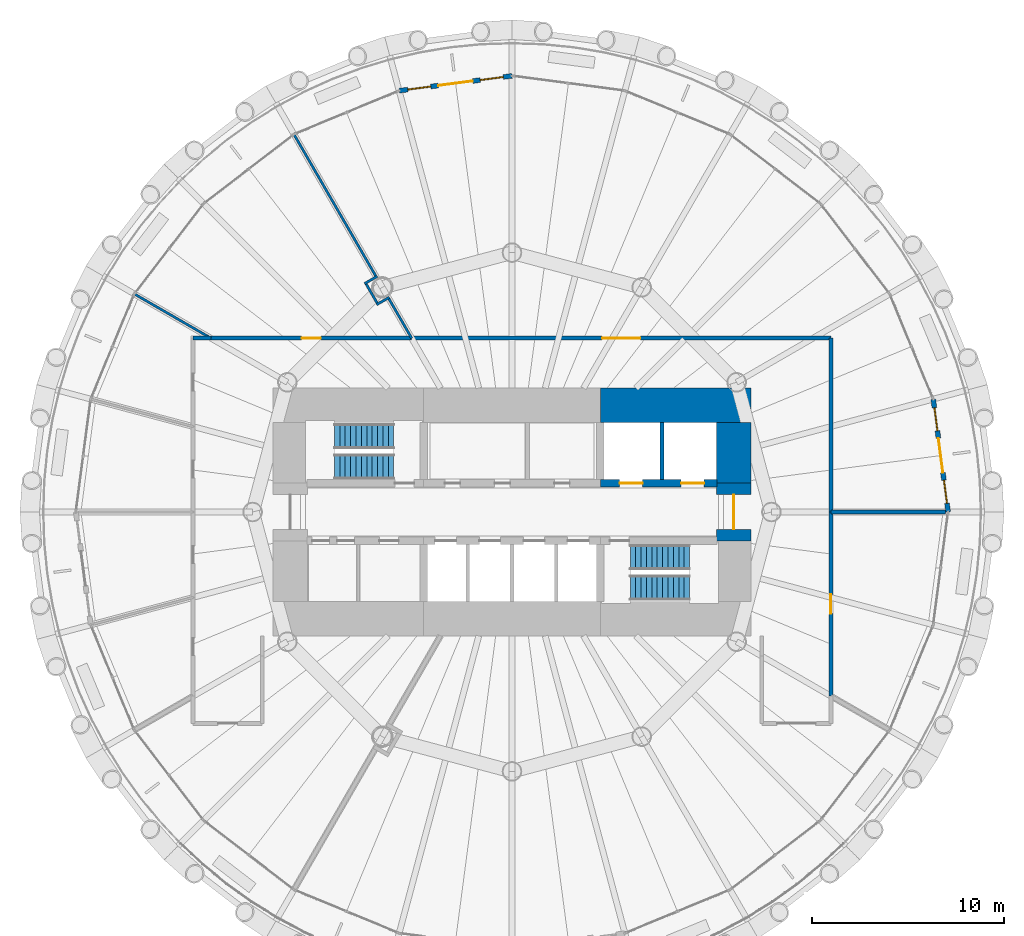
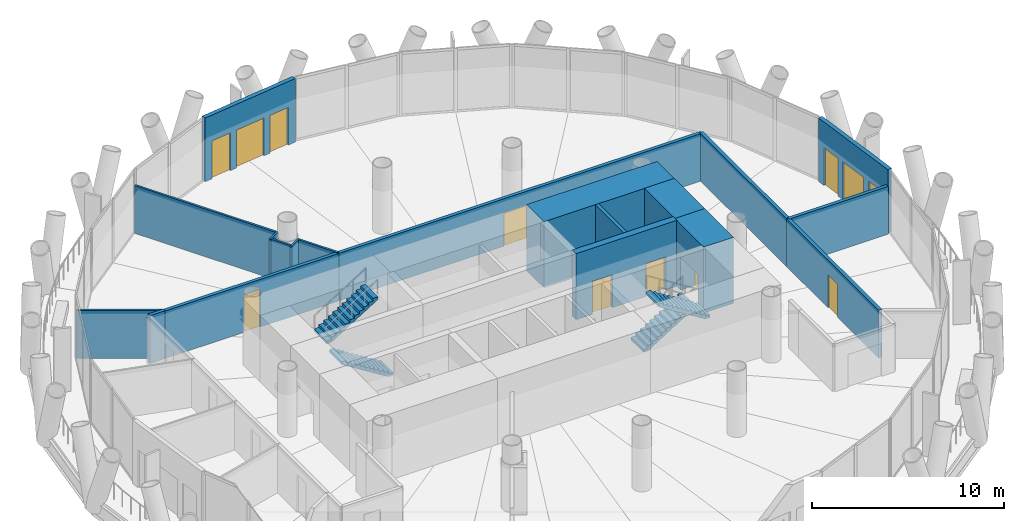
# One storey, part 10 of 14: 19 walls, 8 doors, 4 stair flights, 4 windows, 12 openings, 2 elements without a shape of their own.
"""IFC4 building model written with IfcOpenShell, lengths in metres."""

from ifc_helpers import new_model, si_unit, direction, frame, frame_2d, origin, place, context, subcontext, project, spatial, polyline, rectangle, outline, extrude, material, layer, layer_set, type_object, element, fill, aggregate, save


model = new_model("IFC4")

# Units and contexts
model_context = context("Model", 3, precision=1e-05, world=origin(), true_north=direction((0.0, 1.0)))
body_context = subcontext(model_context, "Body", "Model", "MODEL_VIEW")
ifc_project = project(units=[si_unit("LENGTHUNIT", "METRE"), si_unit("AREAUNIT", "SQUARE_METRE"), si_unit("VOLUMEUNIT", "CUBIC_METRE"), si_unit("PLANEANGLEUNIT", "RADIAN"), si_unit("MASSUNIT", "GRAM", prefix="KILO")], contexts=[model_context])

# Site, building, storey
site_placement = place(None, origin())
site = spatial("IfcSite", under=ifc_project, at=site_placement, CompositionType="ELEMENT")
building_placement = place(site_placement, origin())
building = spatial("IfcBuilding", under=site, at=building_placement, Name="Qaws Media Tower", CompositionType="ELEMENT")
storey_placement = place(building_placement, frame((0.0, 0.0, 126.800048828125)))
storey = spatial("IfcBuildingStorey", under=building, at=storey_placement, Name="L28", CompositionType="ELEMENT", Elevation=126.800048828125)

# Wall, openings, door, windows
ifc_material_1 = material(Name="Precast concrete, exposed finish", Category="concrete")
ifc_layer_1 = layer(ifc_material_1, 0.25)
ifc_layer_set_1 = layer_set([ifc_layer_1], Name="Balcony door wall 250")
wall_type_1 = type_object("IfcWallType", Name="Balcony door wall 250", PredefinedType="SOLIDWALL", material=ifc_layer_set_1)
wall_1_placement = place(storey_placement, frame((82.699951171875, 50.0, 0.0), z_axis=(0.0, 0.0, 1.0), x_axis=(-0.130517390063, 0.99144602016, 0.0)))
wall_1 = element("IfcWall", 1, at=wall_1_placement, inside=storey, type_object=wall_type_1, Name="W140 EW1 balcony door wall L28-01", PredefinedType="SOLIDWALL", context=body_context, shape_type="SweptSolid", body=[
    extrude(rectangle(XDim=5.926025390625, YDim=0.25, at=frame_2d((2.962890625, 0.0))), origin(), (0.0, 0.0, 1.0), 4.0400390625),
])
opening_1_placement = place(wall_1_placement, frame((2.06298828125, 0.0, 0.0)))
opening_1 = element("IfcOpeningElement", 2, at=opening_1_placement, cuts=wall_1, Name="Opening D7", PredefinedType="OPENING", context=body_context, shape_type="SweptSolid", body=[
    extrude(rectangle(XDim=1.800048828125, YDim=2.39990234375, at=frame_2d((0.89990234375, 1.199951171875))), frame((0.0, 0.135009765625, 0.0), z_axis=(0.0, -1.0, 0.0), x_axis=(1.0, 0.0, 0.0)), (0.0, 0.0, 1.0), 0.27001953125),
])
opening_2_placement = place(wall_1_placement, frame((0.462890625, 0.0, 0.0)))
opening_2 = element("IfcOpeningElement", 3, at=opening_2_placement, cuts=wall_1, Name="Opening W1", PredefinedType="OPENING", context=body_context, shape_type="SweptSolid", body=[
    extrude(rectangle(XDim=1.199951171875, YDim=2.39990234375, at=frame_2d((0.60009765625, 1.199951171875))), frame((0.0, 0.135009765625, 0.0), z_axis=(0.0, -1.0, 0.0), x_axis=(1.0, 0.0, 0.0)), (0.0, 0.0, 1.0), 0.27001953125),
])
opening_3_placement = place(wall_1_placement, frame((4.262939453125, 0.0, 0.0)))
opening_3 = element("IfcOpeningElement", 4, at=opening_3_placement, cuts=wall_1, Name="Opening W1", PredefinedType="OPENING", context=body_context, shape_type="SweptSolid", body=[
    extrude(rectangle(XDim=1.199951171875, YDim=2.39990234375, at=frame_2d((0.60009765625, 1.199951171875))), frame((0.0, 0.135009765625, 0.0), z_axis=(0.0, -1.0, 0.0), x_axis=(1.0, 0.0, 0.0)), (0.0, 0.0, 1.0), 0.27001953125),
])
ifc_material_2 = material(Name="Aluminium and clear glass", Category="aluminium")
door_type_1 = type_object("IfcDoorType", Name="Balcony door pair 1800", OperationType="DOUBLE_DOOR_SLIDING", PredefinedType="DOOR", material=ifc_material_2)
door_1_placement = place(opening_1_placement, origin())
door_1 = element("IfcDoor", 5, at=door_1_placement, inside=storey, type_object=door_type_1, Name="D7 balcony door L28-01 in wall W140", OperationType="DOUBLE_DOOR_SLIDING", OverallHeight=2.39990234375, OverallWidth=1.800048828125, PredefinedType="DOOR", context=body_context, shape_type="SweptSolid", body=[
    extrude(rectangle(XDim=1.800048828125, YDim=2.39990234375, at=frame_2d((0.89990234375, 1.199951171875))), frame((0.0, 0.02490234375, 0.0), z_axis=(0.0, -1.0, 0.0), x_axis=(1.0, 0.0, 0.0)), (0.0, 0.0, 1.0), 0.050048828125),
])
fill(opening_1, door_1)
ifc_material_3 = material(Name="Aluminium and clear glass", Category="aluminium")
window_type = type_object("IfcWindowType", Name="Balcony side window 1200", PartitioningType="SINGLE_PANEL", PredefinedType="WINDOW", material=ifc_material_3)
window_1_placement = place(opening_2_placement, origin())
window_1 = element("IfcWindow", 6, at=window_1_placement, inside=storey, type_object=window_type, Name="W1 balcony side light L28-01L", OverallHeight=2.39990234375, OverallWidth=1.199951171875, PartitioningType="SINGLE_PANEL", PredefinedType="WINDOW", context=body_context, shape_type="SweptSolid", body=[
    extrude(rectangle(XDim=1.199951171875, YDim=2.39990234375, at=frame_2d((0.60009765625, 1.199951171875))), frame((0.0, 0.030029296875, 0.0), z_axis=(0.0, -1.0, 0.0), x_axis=(1.0, 0.0, 0.0)), (0.0, 0.0, 1.0), 0.06005859375),
])
fill(opening_2, window_1)
window_2_placement = place(opening_3_placement, origin())
window_2 = element("IfcWindow", 7, at=window_2_placement, inside=storey, type_object=window_type, Name="W1 balcony side light L28-01R", OverallHeight=2.39990234375, OverallWidth=1.199951171875, PartitioningType="SINGLE_PANEL", PredefinedType="WINDOW", context=body_context, shape_type="SweptSolid", body=[
    extrude(rectangle(XDim=1.199951171875, YDim=2.39990234375, at=frame_2d((0.60009765625, 1.199951171875))), frame((0.0, 0.030029296875, 0.0), z_axis=(0.0, -1.0, 0.0), x_axis=(1.0, 0.0, 0.0)), (0.0, 0.0, 1.0), 0.06005859375),
])
fill(opening_3, window_2)

wall_2_placement = place(storey_placement, frame((60.0, 72.699951171875, 0.0), z_axis=(0.0, 0.0, 1.0), x_axis=(-0.99144602016, -0.130517390063, 0.0)))
wall_2 = element("IfcWall", 8, at=wall_2_placement, inside=storey, type_object=wall_type_1, Name="W139 EW1 balcony door wall L28-07", PredefinedType="SOLIDWALL", context=body_context, shape_type="SweptSolid", body=[
    extrude(rectangle(XDim=5.926025390625, YDim=0.25, at=frame_2d((2.962890625, 0.0))), origin(), (0.0, 0.0, 1.0), 4.0400390625),
])
opening_4_placement = place(wall_2_placement, frame((2.06298828125, 0.0, 0.0)))
opening_4 = element("IfcOpeningElement", 9, at=opening_4_placement, cuts=wall_2, Name="Opening D7", PredefinedType="OPENING", context=body_context, shape_type="SweptSolid", body=[
    extrude(rectangle(XDim=1.800048828125, YDim=2.39990234375, at=frame_2d((0.89990234375, 1.199951171875))), frame((0.0, 0.135009765625, 0.0), z_axis=(0.0, -1.0, 0.0), x_axis=(1.0, 0.0, 0.0)), (0.0, 0.0, 1.0), 0.27001953125),
])
opening_5_placement = place(wall_2_placement, frame((0.462890625, 0.0, 0.0)))
opening_5 = element("IfcOpeningElement", 10, at=opening_5_placement, cuts=wall_2, Name="Opening W1", PredefinedType="OPENING", context=body_context, shape_type="SweptSolid", body=[
    extrude(rectangle(XDim=1.199951171875, YDim=2.39990234375, at=frame_2d((0.60009765625, 1.199951171875))), frame((0.0, 0.135009765625, 0.0), z_axis=(0.0, -1.0, 0.0), x_axis=(1.0, 0.0, 0.0)), (0.0, 0.0, 1.0), 0.27001953125),
])
opening_6_placement = place(wall_2_placement, frame((4.262939453125, 0.0, 0.0)))
opening_6 = element("IfcOpeningElement", 11, at=opening_6_placement, cuts=wall_2, Name="Opening W1", PredefinedType="OPENING", context=body_context, shape_type="SweptSolid", body=[
    extrude(rectangle(XDim=1.199951171875, YDim=2.39990234375, at=frame_2d((0.60009765625, 1.199951171875))), frame((0.0, 0.135009765625, 0.0), z_axis=(0.0, -1.0, 0.0), x_axis=(1.0, 0.0, 0.0)), (0.0, 0.0, 1.0), 0.27001953125),
])
door_2_placement = place(opening_4_placement, origin())
door_2 = element("IfcDoor", 12, at=door_2_placement, inside=storey, type_object=door_type_1, Name="D7 balcony door L28-07 in wall W139", OperationType="DOUBLE_DOOR_SLIDING", OverallHeight=2.39990234375, OverallWidth=1.800048828125, PredefinedType="DOOR", context=body_context, shape_type="SweptSolid", body=[
    extrude(rectangle(XDim=1.800048828125, YDim=2.39990234375, at=frame_2d((0.89990234375, 1.199951171875))), frame((0.0, 0.02490234375, 0.0), z_axis=(0.0, -1.0, 0.0), x_axis=(1.0, 0.0, 0.0)), (0.0, 0.0, 1.0), 0.050048828125),
])
fill(opening_4, door_2)
window_3_placement = place(opening_5_placement, origin())
window_3 = element("IfcWindow", 13, at=window_3_placement, inside=storey, type_object=window_type, Name="W1 balcony side light L28-07L", OverallHeight=2.39990234375, OverallWidth=1.199951171875, PartitioningType="SINGLE_PANEL", PredefinedType="WINDOW", context=body_context, shape_type="SweptSolid", body=[
    extrude(rectangle(XDim=1.199951171875, YDim=2.39990234375, at=frame_2d((0.60009765625, 1.199951171875))), frame((0.0, 0.030029296875, 0.0), z_axis=(0.0, -1.0, 0.0), x_axis=(1.0, 0.0, 0.0)), (0.0, 0.0, 1.0), 0.06005859375),
])
fill(opening_5, window_3)
window_4_placement = place(opening_6_placement, origin())
window_4 = element("IfcWindow", 14, at=window_4_placement, inside=storey, type_object=window_type, Name="W1 balcony side light L28-07R", OverallHeight=2.39990234375, OverallWidth=1.199951171875, PartitioningType="SINGLE_PANEL", PredefinedType="WINDOW", context=body_context, shape_type="SweptSolid", body=[
    extrude(rectangle(XDim=1.199951171875, YDim=2.39990234375, at=frame_2d((0.60009765625, 1.199951171875))), frame((0.0, 0.030029296875, 0.0), z_axis=(0.0, -1.0, 0.0), x_axis=(1.0, 0.0, 0.0)), (0.0, 0.0, 1.0), 0.06005859375),
])
fill(opening_6, window_4)

# Wall, openings, doors
ifc_material_4 = material(Name="Concrete C60/75", Category="concrete")
ifc_layer_2 = layer(ifc_material_4, 0.39990234375)
ifc_layer_set_2 = layer_set([ifc_layer_2], Name="Core inner wall 400")
wall_type_2 = type_object("IfcWallType", Name="Core inner wall 400", PredefinedType="SHEAR", material=ifc_layer_set_2)
wall_3_placement = place(storey_placement, frame((64.60009765625, 51.5, 0.0), z_axis=(0.0, 0.0, 1.0), x_axis=(1.0, 0.0, 0.0)))
wall_3 = element("IfcWall", 15, at=wall_3_placement, inside=storey, type_object=wall_type_2, Name="W326 SW4 core wall SPNE L28", PredefinedType="SHEAR", context=body_context, shape_type="SweptSolid", body=[
    extrude(rectangle(XDim=6.06982421875, YDim=0.39990234375, at=frame_2d((3.034912109375, 0.0))), origin(), (0.0, 0.0, 1.0), 4.199951171875),
])
opening_7_placement = place(wall_3_placement, frame((1.0, 0.0, 0.0)))
opening_7 = element("IfcOpeningElement", 16, at=opening_7_placement, cuts=wall_3, Name="Opening LD2", PredefinedType="OPENING", context=body_context, shape_type="SweptSolid", body=[
    extrude(rectangle(XDim=1.199951171875, YDim=2.10009765625, at=frame_2d((0.60009765625, 1.050048828125))), frame((0.0, 0.2099609375, 0.0), z_axis=(0.0, -1.0, 0.0), x_axis=(1.0, 0.0, 0.0)), (0.0, 0.0, 1.0), 0.419921875),
])
opening_8_placement = place(wall_3_placement, frame((4.199951171875, 0.0, 0.0)))
opening_8 = element("IfcOpeningElement", 17, at=opening_8_placement, cuts=wall_3, Name="Opening LD2", PredefinedType="OPENING", context=body_context, shape_type="SweptSolid", body=[
    extrude(rectangle(XDim=1.199951171875, YDim=2.10009765625, at=frame_2d((0.60009765625, 1.050048828125))), frame((0.0, 0.2099609375, 0.0), z_axis=(0.0, -1.0, 0.0), x_axis=(1.0, 0.0, 0.0)), (0.0, 0.0, 1.0), 0.419921875),
])
ifc_material_5 = material(Name="Steel, fire rated", Category="steel")
door_type_2 = type_object("IfcDoorType", Name="Lift landing door 1200", OperationType="SLIDING_TO_LEFT", PredefinedType="DOOR", material=ifc_material_5)
door_3_placement = place(opening_7_placement, origin())
door_3 = element("IfcDoor", 18, at=door_3_placement, inside=storey, type_object=door_type_2, Name="FL1 landing door L28 in wall W326", OperationType="SLIDING_TO_LEFT", OverallHeight=2.10009765625, OverallWidth=1.199951171875, PredefinedType="DOOR", context=body_context, shape_type="SweptSolid", body=[
    extrude(rectangle(XDim=1.199951171875, YDim=2.10009765625, at=frame_2d((0.60009765625, 1.050048828125))), frame((0.0, 0.02490234375, 0.0), z_axis=(0.0, -1.0, 0.0), x_axis=(1.0, 0.0, 0.0)), (0.0, 0.0, 1.0), 0.050048828125),
])
fill(opening_7, door_3)
door_4_placement = place(opening_8_placement, origin())
door_4 = element("IfcDoor", 19, at=door_4_placement, inside=storey, type_object=door_type_2, Name="FL2 landing door L28 in wall W326", OperationType="SLIDING_TO_LEFT", OverallHeight=2.10009765625, OverallWidth=1.199951171875, PredefinedType="DOOR", context=body_context, shape_type="SweptSolid", body=[
    extrude(rectangle(XDim=1.199951171875, YDim=2.10009765625, at=frame_2d((0.60009765625, 1.050048828125))), frame((0.0, 0.02490234375, 0.0), z_axis=(0.0, -1.0, 0.0), x_axis=(1.0, 0.0, 0.0)), (0.0, 0.0, 1.0), 0.050048828125),
])
fill(opening_8, door_4)

# Wall
ifc_material_6 = material(Name="Concrete C60/75", Category="concrete")
ifc_layer_3 = layer(ifc_material_6, 1.800048828125)
ifc_layer_set_3 = layer_set([ifc_layer_3], Name="Core wall 1800")
wall_type_3 = type_object("IfcWallType", Name="Core wall 1800", PredefinedType="SHEAR", material=ifc_layer_set_3)
wall_4_placement = place(storey_placement, frame((64.60009765625, 55.550048828125, 0.0), z_axis=(0.0, 0.0, 1.0), x_axis=(1.0, 0.0, 0.0)))
element("IfcWall", 20, at=wall_4_placement, inside=storey, type_object=wall_type_3, Name="W423 SW11 core wall NE L28", PredefinedType="SHEAR", context=body_context, shape_type="SweptSolid", body=[
    extrude(rectangle(XDim=7.849853515625, YDim=1.800048828125, at=frame_2d((3.9248046875, 0.0))), origin(), (0.0, 0.0, 1.0), 4.199951171875),
])

# Wall, opening, door
wall_5_placement = place(storey_placement, frame((71.550048828125, 48.5, 0.0), z_axis=(0.0, 0.0, 1.0), x_axis=(0.0, 1.0, 0.0)))
wall_5 = element("IfcWall", 21, at=wall_5_placement, inside=storey, type_object=wall_type_3, Name="W427 SW11 core wall E L28", PredefinedType="SHEAR", context=body_context, shape_type="SweptSolid", body=[
    extrude(rectangle(XDim=3.0, YDim=1.800048828125, at=frame_2d((1.5, 0.0))), origin(), (0.0, 0.0, 1.0), 4.199951171875),
])
opening_9_placement = place(wall_5_placement, frame((0.60009765625, 0.0, 0.0)))
opening_9 = element("IfcOpeningElement", 22, at=opening_9_placement, cuts=wall_5, Name="Opening D2", PredefinedType="OPENING", context=body_context, shape_type="SweptSolid", body=[
    extrude(rectangle(XDim=1.800048828125, YDim=2.10009765625, at=frame_2d((0.89990234375, 1.050048828125))), frame((0.0, 0.909912109375, 0.0), z_axis=(0.0, -1.0, 0.0), x_axis=(1.0, 0.0, 0.0)), (0.0, 0.0, 1.0), 1.820068359375),
])
ifc_material_7 = material(Name="Steel and glass, fire rated", Category="steel")
door_type_3 = type_object("IfcDoorType", Name="Lobby door pair 1800 FD60", OperationType="DOUBLE_DOOR_DOUBLE_SWING", PredefinedType="DOOR", material=ifc_material_7)
door_5_placement = place(opening_9_placement, origin())
door_5 = element("IfcDoor", 23, at=door_5_placement, inside=storey, type_object=door_type_3, Name="D2 core lobby door E L28 in wall W427", OperationType="DOUBLE_DOOR_DOUBLE_SWING", OverallHeight=2.10009765625, OverallWidth=1.800048828125, PredefinedType="DOOR", context=body_context, shape_type="SweptSolid", body=[
    extrude(rectangle(XDim=1.800048828125, YDim=2.10009765625, at=frame_2d((0.89990234375, 1.050048828125))), frame((0.0, 0.02490234375, 0.0), z_axis=(0.0, -1.0, 0.0), x_axis=(1.0, 0.0, 0.0)), (0.0, 0.0, 1.0), 0.050048828125),
])
fill(opening_9, door_5)

# Walls
wall_6_placement = place(storey_placement, frame((71.550048828125, 51.5, 0.0), z_axis=(0.0, 0.0, 1.0), x_axis=(0.0, 1.0, 0.0)))
element("IfcWall", 24, at=wall_6_placement, inside=storey, type_object=wall_type_3, Name="W425 SW11 core wall EN L28", PredefinedType="SHEAR", context=body_context, shape_type="SweptSolid", body=[
    extrude(rectangle(XDim=3.169921875, YDim=1.800048828125, at=frame_2d((1.5849609375, 0.0))), origin(), (0.0, 0.0, 1.0), 4.199951171875),
])
ifc_material_8 = material(Name="Two layers gypsum board each side on 75 studs, insulated", Category="gypsum")
ifc_layer_4 = layer(ifc_material_8, 0.125)
ifc_layer_set_4 = layer_set([ifc_layer_4], Name="Meeting room partition 125 Rw 48")
wall_type_4 = type_object("IfcWallType", Name="Meeting room partition 125 Rw 48", PredefinedType="PARTITIONING", material=ifc_layer_set_4)
for number, where, z_axis, x_axis, name in (
    (25, (53.619384765625, 61.176513671875, 0.0), (0.0, 0.0, 1.0), (-0.866036909293, -0.499980071345, 0.0), "W544 IW5 partition return L28"),
    (26, (52.989013671875, 62.2685546875, 0.0), (0.0, 0.0, 1.0), (-0.866174967129, -0.499740859165, 0.0), "W543 IW5 partition return L28"),
):
    element("IfcWall", number, at=place(storey_placement, frame(where, z_axis=z_axis, x_axis=x_axis)), inside=storey, type_object=wall_type_4, Name=name, PredefinedType="PARTITIONING", context=body_context, shape_type="SweptSolid", body=[
        extrude(rectangle(XDim=0.765625, YDim=0.125, at=frame_2d((0.3828125, 0.0))), origin(), (0.0, 0.0, 1.0), 3.02001953125),
    ])
wall_7_placement = place(storey_placement, frame((52.979248046875, 60.879150390625, 0.0), z_axis=(0.0, 0.0, 1.0), x_axis=(-0.499883687939, 0.866092546171, 0.0)))
element("IfcWall", 27, at=wall_7_placement, inside=storey, type_object=wall_type_4, Name="W542 IW5 partition return L28", PredefinedType="PARTITIONING", context=body_context, shape_type="SweptSolid", body=[
    extrude(rectangle(XDim=1.135986328125, YDim=0.125, at=frame_2d((0.56787109375, 0.0))), origin(), (0.0, 0.0, 1.0), 3.02001953125),
])
wall_8_placement = place(storey_placement, frame((54.780029296875, 59.041259765625, 0.0), z_axis=(0.0, 0.0, 1.0), x_axis=(-0.499999210213, 0.866025859768, 0.0)))
element("IfcWall", 28, at=wall_8_placement, inside=storey, type_object=wall_type_4, Name="W545 IW5 partition L28", PredefinedType="PARTITIONING", context=body_context, shape_type="SweptSolid", body=[
    extrude(rectangle(XDim=2.3671875, YDim=0.125, at=frame_2d((1.18359375, 0.0))), origin(), (0.0, 0.0, 1.0), 3.0400390625),
])
wall_9_placement = place(storey_placement, frame((52.903564453125, 62.29150390625, 0.0), z_axis=(0.0, 0.0, 1.0), x_axis=(-0.5000186417, 0.866014640726, 0.0)))
element("IfcWall", 29, at=wall_9_placement, inside=storey, type_object=wall_type_4, Name="W547 IW5 partition L28", PredefinedType="PARTITIONING", context=body_context, shape_type="SweptSolid", body=[
    extrude(rectangle(XDim=8.467041015625, YDim=0.125, at=frame_2d((4.2333984375, 0.0))), origin(), (0.0, 0.0, 1.0), 3.0400390625),
])
wall_10_placement = place(storey_placement, frame((44.324951171875, 59.050048828125, 0.0), z_axis=(0.0, 0.0, 1.0), x_axis=(-0.866017071537, 0.500014431597, 0.0)))
element("IfcWall", 30, at=wall_10_placement, inside=storey, type_object=wall_type_4, Name="W546 IW5 partition L28", PredefinedType="PARTITIONING", context=body_context, shape_type="SweptSolid", body=[
    extrude(rectangle(XDim=4.559814453125, YDim=0.125, at=frame_2d((2.27978515625, 0.0))), origin(), (0.0, 0.0, 1.0), 3.0400390625),
])
ifc_material_9 = material(Name="Gypsum board on galvanised metal studs, acoustic double stud, deflection head", Category="gypsum")
ifc_layer_5 = layer(ifc_material_9, 0.199951171875)
ifc_layer_set_5 = layer_set([ifc_layer_5], Name="Room partition 200")
wall_type_5 = type_object("IfcWallType", Name="Room partition 200", PredefinedType="PARTITIONING", material=ifc_layer_set_5)
wall_11_placement = place(storey_placement, frame((43.39990234375, 59.050048828125, 0.0), z_axis=(0.0, 0.0, 1.0), x_axis=(1.0, 0.0, 0.0)))
element("IfcWall", 31, at=wall_11_placement, inside=storey, type_object=wall_type_5, Name="W1250 IW3 partition L28", PredefinedType="PARTITIONING", context=body_context, shape_type="SweptSolid", body=[
    extrude(rectangle(XDim=0.925048828125, YDim=0.199951171875, at=frame_2d((0.46240234375, 0.0))), origin(), (0.0, 0.0, 1.0), 3.0400390625),
])

# Wall, opening, door
wall_12_placement = place(storey_placement, frame((44.324951171875, 59.050048828125, 0.0), z_axis=(0.0, 0.0, 1.0), x_axis=(1.0, 0.0, 0.0)))
wall_12 = element("IfcWall", 32, at=wall_12_placement, inside=storey, type_object=wall_type_5, Name="W1252 IW3 partition L28", PredefinedType="PARTITIONING", context=body_context, shape_type="SweptSolid", body=[
    extrude(rectangle(XDim=10.449951171875, YDim=0.199951171875, at=frame_2d((5.22509765625, 0.0))), origin(), (0.0, 0.0, 1.0), 3.02001953125),
])
opening_10_placement = place(wall_12_placement, frame((4.72509765625, 0.0, 0.0)))
opening_10 = element("IfcOpeningElement", 33, at=opening_10_placement, cuts=wall_12, Name="Opening D13", PredefinedType="OPENING", context=body_context, shape_type="SweptSolid", body=[
    extrude(rectangle(XDim=1.0, YDim=2.39990234375, at=frame_2d((0.5, 1.199951171875))), frame((0.0, 0.10986328125, 0.0), z_axis=(0.0, -1.0, 0.0), x_axis=(1.0, 0.0, 0.0)), (0.0, 0.0, 1.0), 0.219970703125),
])
ifc_material_10 = material(Name="Frameless toughened glass, acoustic seals", Category="glass")
door_type_4 = type_object("IfcDoorType", Name="Glazed meeting room door 1000x2400", OperationType="SINGLE_SWING_LEFT", PredefinedType="DOOR", material=ifc_material_10)
door_6_placement = place(opening_10_placement, origin())
door_6 = element("IfcDoor", 34, at=door_6_placement, inside=storey, type_object=door_type_4, Name="D13 Meeting room door L28 in wall W1252", OperationType="SINGLE_SWING_LEFT", OverallHeight=2.39990234375, OverallWidth=1.0, PredefinedType="DOOR", context=body_context, shape_type="SweptSolid", body=[
    extrude(rectangle(XDim=1.0, YDim=2.39990234375, at=frame_2d((0.5, 1.199951171875))), frame((0.0, 0.02490234375, 0.0), z_axis=(0.0, -1.0, 0.0), x_axis=(1.0, 0.0, 0.0)), (0.0, 0.0, 1.0), 0.050048828125),
])
fill(opening_10, door_6)

wall_13_placement = place(storey_placement, frame((54.77490234375, 59.050048828125, 0.0), z_axis=(0.0, 0.0, 1.0), x_axis=(1.0, 0.0, 0.0)))
wall_13 = element("IfcWall", 35, at=wall_13_placement, inside=storey, type_object=wall_type_5, Name="W1258 IW3 partition L28", PredefinedType="PARTITIONING", context=body_context, shape_type="SweptSolid", body=[
    extrude(rectangle(XDim=21.8251953125, YDim=0.199951171875, at=frame_2d((10.91259765625, 0.0))), origin(), (0.0, 0.0, 1.0), 3.02001953125),
])
opening_11_placement = place(wall_13_placement, frame((9.91259765625, 0.0, 0.0)))
opening_11 = element("IfcOpeningElement", 36, at=opening_11_placement, cuts=wall_13, Name="Opening D6", PredefinedType="OPENING", context=body_context, shape_type="SweptSolid", body=[
    extrude(rectangle(XDim=2.0, YDim=2.10009765625, at=frame_2d((1.0, 1.050048828125))), frame((0.0, 0.10986328125, 0.0), z_axis=(0.0, -1.0, 0.0), x_axis=(1.0, 0.0, 0.0)), (0.0, 0.0, 1.0), 0.219970703125),
])
ifc_material_11 = material(Name="Steel, acoustic, fire rated", Category="steel")
door_type_5 = type_object("IfcDoorType", Name="Room door pair 2000", OperationType="DOUBLE_DOOR_DOUBLE_SWING", PredefinedType="DOOR", material=ifc_material_11)
door_7_placement = place(opening_11_placement, origin())
door_7 = element("IfcDoor", 37, at=door_7_placement, inside=storey, type_object=door_type_5, Name="D6 Finance office door L28 in wall W1258", OperationType="DOUBLE_DOOR_DOUBLE_SWING", OverallHeight=2.10009765625, OverallWidth=2.0, PredefinedType="DOOR", context=body_context, shape_type="SweptSolid", body=[
    extrude(rectangle(XDim=2.0, YDim=2.10009765625, at=frame_2d((1.0, 1.050048828125))), frame((0.0, 0.02490234375, 0.0), z_axis=(0.0, -1.0, 0.0), x_axis=(1.0, 0.0, 0.0)), (0.0, 0.0, 1.0), 0.050048828125),
])
fill(opening_11, door_7)

# Wall
wall_14_placement = place(storey_placement, frame((76.60009765625, 59.050048828125, 0.0), z_axis=(0.0, 0.0, 1.0), x_axis=(0.0, -1.0, 0.0)))
element("IfcWall", 38, at=wall_14_placement, inside=storey, type_object=wall_type_5, Name="W1266 IW3 partition L28", PredefinedType="PARTITIONING", context=body_context, shape_type="SweptSolid", body=[
    extrude(rectangle(XDim=9.050048828125, YDim=0.199951171875, at=frame_2d((4.52490234375, 0.0))), origin(), (0.0, 0.0, 1.0), 3.0400390625),
])

# Wall, opening, door
wall_15_placement = place(storey_placement, frame((76.60009765625, 50.0, 0.0), z_axis=(0.0, 0.0, 1.0), x_axis=(0.0, -1.0, 0.0)))
wall_15 = element("IfcWall", 39, at=wall_15_placement, inside=storey, type_object=wall_type_5, Name="W1264 IW3 partition L28", PredefinedType="PARTITIONING", context=body_context, shape_type="SweptSolid", body=[
    extrude(rectangle(XDim=9.583984375, YDim=0.199951171875, at=frame_2d((4.7919921875, 0.0))), origin(), (0.0, 0.0, 1.0), 3.0400390625),
])
opening_12_placement = place(wall_15_placement, frame((4.2919921875, 0.0, 0.0)))
opening_12 = element("IfcOpeningElement", 40, at=opening_12_placement, cuts=wall_15, Name="Opening D5", PredefinedType="OPENING", context=body_context, shape_type="SweptSolid", body=[
    extrude(rectangle(XDim=1.0, YDim=2.10009765625, at=frame_2d((0.5, 1.050048828125))), frame((0.0, 0.10986328125, 0.0), z_axis=(0.0, -1.0, 0.0), x_axis=(1.0, 0.0, 0.0)), (0.0, 0.0, 1.0), 0.219970703125),
])
ifc_material_12 = material(Name="Timber veneered, acoustic seal", Category="wood")
door_type_6 = type_object("IfcDoorType", Name="Room door 1000", OperationType="SINGLE_SWING_LEFT", PredefinedType="DOOR", material=ifc_material_12)
door_8_placement = place(opening_12_placement, origin())
door_8 = element("IfcDoor", 41, at=door_8_placement, inside=storey, type_object=door_type_6, Name="D5 Finance office door L28 in wall W1264", OperationType="SINGLE_SWING_LEFT", OverallHeight=2.10009765625, OverallWidth=1.0, PredefinedType="DOOR", context=body_context, shape_type="SweptSolid", body=[
    extrude(rectangle(XDim=1.0, YDim=2.10009765625, at=frame_2d((0.5, 1.050048828125))), frame((0.0, 0.02490234375, 0.0), z_axis=(0.0, -1.0, 0.0), x_axis=(1.0, 0.0, 0.0)), (0.0, 0.0, 1.0), 0.050048828125),
])
fill(opening_12, door_8)

# Walls
wall_16_placement = place(storey_placement, frame((76.60009765625, 50.0, 0.0), z_axis=(0.0, 0.0, 1.0), x_axis=(1.0, 0.0, 0.0)))
element("IfcWall", 42, at=wall_16_placement, inside=storey, type_object=wall_type_5, Name="W1273 IW3 partition L28", PredefinedType="PARTITIONING", context=body_context, shape_type="SweptSolid", body=[
    extrude(rectangle(XDim=5.9599609375, YDim=0.199951171875, at=frame_2d((2.97998046875, 0.0))), origin(), (0.0, 0.0, 1.0), 3.0400390625),
])
ifc_material_13 = material(Name="Fire-rated gypsum board shaft wall on galvanised metal studs, deflection head", Category="gypsum")
ifc_layer_6 = layer(ifc_material_13, 0.199951171875)
ifc_layer_set_6 = layer_set([ifc_layer_6], Name="Shaft wall 200")
wall_type_6 = type_object("IfcWallType", Name="Shaft wall 200", PredefinedType="PARTITIONING", material=ifc_layer_set_6)
wall_17_placement = place(storey_placement, frame((67.800048828125, 51.699951171875, 0.0), z_axis=(0.0, 0.0, 1.0), x_axis=(0.0, 1.0, 0.0)))
element("IfcWall", 43, at=wall_17_placement, inside=storey, type_object=wall_type_6, Name="W1863 IW1 shaft wall FL L28", PredefinedType="PARTITIONING", context=body_context, shape_type="SweptSolid", body=[
    extrude(rectangle(XDim=2.949951171875, YDim=0.199951171875, at=frame_2d((1.47509765625, 0.0))), origin(), (0.0, 0.0, 1.0), 4.199951171875),
])

# Stair, stair flights
ifc_material_14 = material(Name="Concrete C40/50", Category="concrete")
stair_type = type_object("IfcStairType", Name="Exit stair", PredefinedType="HALF_TURN_STAIR", material=ifc_material_14)
stair_1_placement = place(storey_placement, origin())
stair_1 = element("IfcStair", 44, at=stair_1_placement, inside=storey, type_object=stair_type, Name="S1 exit stair L28", PredefinedType="HALF_TURN_STAIR")
ifc_material_15 = material(Name="Concrete C40/50", Category="concrete")
stair_flight_type = type_object("IfcStairFlightType", Name="Stair flight 1310", PredefinedType="STRAIGHT", material=ifc_material_15)
stair_flight_1_placement = place(storey_placement, frame((53.840087890625, 52.35498046875, 0.0), z_axis=(0.0, 0.0, 1.0), x_axis=(-1.0, 0.0, 0.0)))
stair_flight_1 = element("IfcStairFlight", 45, at=stair_flight_1_placement, type_object=stair_flight_type, Name="S1 flight 1", NumberOfRisers=12, NumberOfTreads=11, PredefinedType="STRAIGHT", RiserHeight=0.175, TreadLength=0.28, context=body_context, shape_type="SweptSolid", body=[
    extrude(outline(polyline([(0.0, 0.0), (0.0, 0.175048828125), (0.280029296875, 0.175048828125), (0.280029296875, 0.35009765625), (0.56005859375, 0.35009765625), (0.56005859375, 0.52490234375), (0.840087890625, 0.52490234375), (0.840087890625, 0.699951171875), (1.1201171875, 0.699951171875), (1.1201171875, 0.875), (1.39990234375, 0.875), (1.39990234375, 1.050048828125), (1.679931640625, 1.050048828125), (1.679931640625, 1.22509765625), (1.9599609375, 1.22509765625), (1.9599609375, 1.39990234375), (2.239990234375, 1.39990234375), (2.239990234375, 1.574951171875), (2.52001953125, 1.574951171875), (2.52001953125, 1.75), (2.800048828125, 1.75), (2.800048828125, 1.925048828125), (3.080078125, 1.925048828125), (3.080078125, 2.10009765625), (3.080078125, 1.748291015625), (0.28271484375, 0.0), (0.0, 0.0)])), frame((0.0, 0.655029296875, 0.0), z_axis=(0.0, -1.0, 0.0), x_axis=(1.0, 0.0, 0.0)), (0.0, 0.0, 1.0), 1.31005859375),
])
stair_flight_2_placement = place(storey_placement, frame((50.760009765625, 53.945068359375, 2.099853515625), z_axis=(0.0, 0.0, 1.0), x_axis=(1.0, 0.0, 0.0)))
stair_flight_2 = element("IfcStairFlight", 46, at=stair_flight_2_placement, type_object=stair_flight_type, Name="S1 flight 2", NumberOfRisers=12, NumberOfTreads=11, PredefinedType="STRAIGHT", RiserHeight=0.175, TreadLength=0.28, context=body_context, shape_type="SweptSolid", body=[
    extrude(outline(polyline([(0.0, 0.0), (0.0, 0.175048828125), (0.280029296875, 0.175048828125), (0.280029296875, 0.35009765625), (0.56005859375, 0.35009765625), (0.56005859375, 0.52490234375), (0.840087890625, 0.52490234375), (0.840087890625, 0.699951171875), (1.1201171875, 0.699951171875), (1.1201171875, 0.875), (1.39990234375, 0.875), (1.39990234375, 1.050048828125), (1.679931640625, 1.050048828125), (1.679931640625, 1.22509765625), (1.9599609375, 1.22509765625), (1.9599609375, 1.39990234375), (2.239990234375, 1.39990234375), (2.239990234375, 1.574951171875), (2.52001953125, 1.574951171875), (2.52001953125, 1.75), (2.800048828125, 1.75), (2.800048828125, 1.925048828125), (3.080078125, 1.925048828125), (3.080078125, 2.10009765625), (3.080078125, 1.748291015625), (0.28271484375, 0.0), (0.0, 0.0)])), frame((0.0, 0.655029296875, 0.0), z_axis=(0.0, -1.0, 0.0), x_axis=(1.0, 0.0, 0.0)), (0.0, 0.0, 1.0), 1.31005859375),
])
aggregate(stair_1, [stair_flight_1, stair_flight_2])

stair_2_placement = place(storey_placement, origin())
stair_2 = element("IfcStair", 47, at=stair_2_placement, inside=storey, type_object=stair_type, Name="S2 exit stair L28", PredefinedType="HALF_TURN_STAIR")
stair_flight_3_placement = place(storey_placement, frame((66.159912109375, 47.64501953125, 0.0), z_axis=(0.0, 0.0, 1.0), x_axis=(1.0, 0.0, 0.0)))
stair_flight_3 = element("IfcStairFlight", 48, at=stair_flight_3_placement, type_object=stair_flight_type, Name="S2 flight 1", NumberOfRisers=12, NumberOfTreads=11, PredefinedType="STRAIGHT", RiserHeight=0.175, TreadLength=0.28, context=body_context, shape_type="SweptSolid", body=[
    extrude(outline(polyline([(0.0, 0.0), (0.0, 0.175048828125), (0.280029296875, 0.175048828125), (0.280029296875, 0.35009765625), (0.56005859375, 0.35009765625), (0.56005859375, 0.52490234375), (0.840087890625, 0.52490234375), (0.840087890625, 0.699951171875), (1.1201171875, 0.699951171875), (1.1201171875, 0.875), (1.39990234375, 0.875), (1.39990234375, 1.050048828125), (1.679931640625, 1.050048828125), (1.679931640625, 1.22509765625), (1.9599609375, 1.22509765625), (1.9599609375, 1.39990234375), (2.239990234375, 1.39990234375), (2.239990234375, 1.574951171875), (2.52001953125, 1.574951171875), (2.52001953125, 1.75), (2.800048828125, 1.75), (2.800048828125, 1.925048828125), (3.080078125, 1.925048828125), (3.080078125, 2.10009765625), (3.080078125, 1.748291015625), (0.28271484375, 0.0), (0.0, 0.0)])), frame((0.0, 0.655029296875, 0.0), z_axis=(0.0, -1.0, 0.0), x_axis=(1.0, 0.0, 0.0)), (0.0, 0.0, 1.0), 1.31005859375),
])
stair_flight_4_placement = place(storey_placement, frame((69.239990234375, 46.054931640625, 2.099853515625), z_axis=(0.0, 0.0, 1.0), x_axis=(-1.0, 0.0, 0.0)))
stair_flight_4 = element("IfcStairFlight", 49, at=stair_flight_4_placement, type_object=stair_flight_type, Name="S2 flight 2", NumberOfRisers=12, NumberOfTreads=11, PredefinedType="STRAIGHT", RiserHeight=0.175, TreadLength=0.28, context=body_context, shape_type="SweptSolid", body=[
    extrude(outline(polyline([(0.0, 0.0), (0.0, 0.175048828125), (0.280029296875, 0.175048828125), (0.280029296875, 0.35009765625), (0.56005859375, 0.35009765625), (0.56005859375, 0.52490234375), (0.840087890625, 0.52490234375), (0.840087890625, 0.699951171875), (1.1201171875, 0.699951171875), (1.1201171875, 0.875), (1.39990234375, 0.875), (1.39990234375, 1.050048828125), (1.679931640625, 1.050048828125), (1.679931640625, 1.22509765625), (1.9599609375, 1.22509765625), (1.9599609375, 1.39990234375), (2.239990234375, 1.39990234375), (2.239990234375, 1.574951171875), (2.52001953125, 1.574951171875), (2.52001953125, 1.75), (2.800048828125, 1.75), (2.800048828125, 1.925048828125), (3.080078125, 1.925048828125), (3.080078125, 2.10009765625), (3.080078125, 1.748291015625), (0.28271484375, 0.0), (0.0, 0.0)])), frame((0.0, 0.655029296875, 0.0), z_axis=(0.0, -1.0, 0.0), x_axis=(1.0, 0.0, 0.0)), (0.0, 0.0, 1.0), 1.31005859375),
])
aggregate(stair_2, [stair_flight_3, stair_flight_4])

save(model, "model.ifc")
